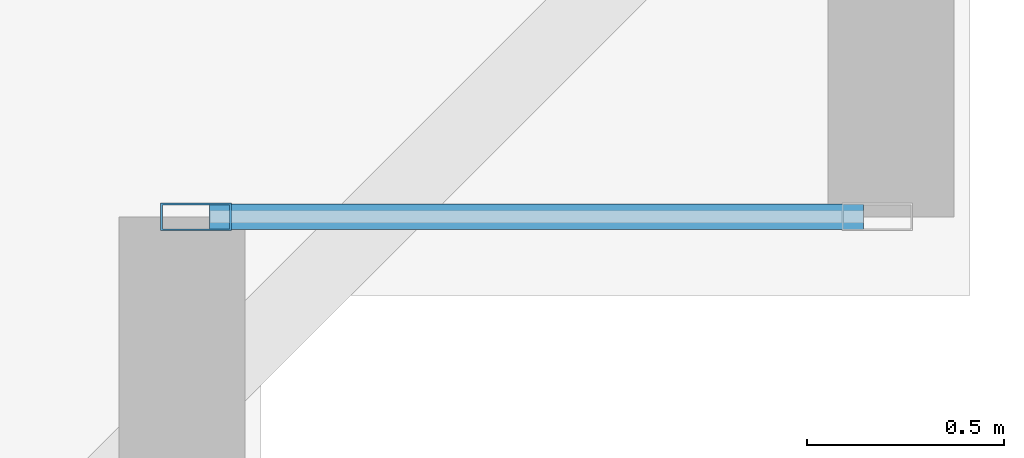
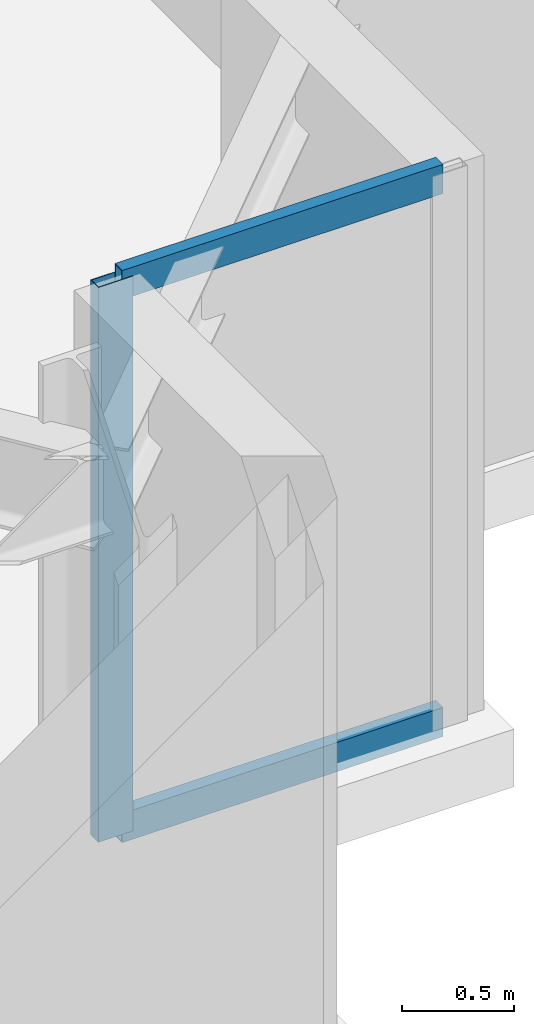
# One storey, part 6 of 22: 3 members, 1 element without a shape of its own.
"""IFC4 building model written with IfcOpenShell, lengths in metres."""

from ifc_helpers import new_model, si_unit, direction, frame, origin, origin_2d, place, context, subcontext, project, spatial, hollow_rectangle, extrude, material, layer, layer_set, material_profile, profile_set, type_object, element, aggregate, save


model = new_model("IFC4")

# Units and contexts
model_context = context("Model", 3, precision=1e-05, world=origin(), true_north=direction((0.0, 1.0)))
body_context = subcontext(model_context, "Body", "Model", "MODEL_VIEW")
ifc_project = project(units=[si_unit("LENGTHUNIT", "METRE"), si_unit("AREAUNIT", "SQUARE_METRE"), si_unit("VOLUMEUNIT", "CUBIC_METRE"), si_unit("PLANEANGLEUNIT", "RADIAN"), si_unit("MASSUNIT", "GRAM", prefix="KILO")], contexts=[model_context])

# Site, building, storey
site_placement = place(None, origin())
site = spatial("IfcSite", under=ifc_project, at=site_placement, CompositionType="ELEMENT")
building_placement = place(site_placement, origin())
building = spatial("IfcBuilding", under=site, at=building_placement, Name="Qobustan Lattice House", CompositionType="ELEMENT")
storey_placement = place(building_placement, frame((0.0, 0.0, 53.800048828125)))
storey = spatial("IfcBuildingStorey", under=building, at=storey_placement, Name="L14", CompositionType="ELEMENT", Elevation=53.800048828125)

# Curtain wall, members
ifc_material_1 = material(Name="Anodised aluminium and low-E glazing", Category="aluminium")
ifc_layer = layer(ifc_material_1, 0.219970703125)
ifc_layer_set = layer_set([ifc_layer], Name="Anodised aluminium and low-E glazing")
curtain_wall_type = type_object("IfcCurtainWallType", Name="CW-FAC-01", PredefinedType="USERDEFINED", material=ifc_layer_set)
curtain_wall_placement = place(storey_placement, origin())
curtain_wall = element("IfcCurtainWall", 1, at=curtain_wall_placement, inside=storey, type_object=curtain_wall_type, Name="L14 serrated corner faceted glazing 18", ObjectType="CURTAIN WALL", PredefinedType="USERDEFINED")
ifc_material_2 = material(Name="Anodised aluminium EN AW-6063 T6", Category="aluminium")
ifc_material_profile_1 = material_profile(ifc_material_2, hollow_rectangle(XDim=0.070068359375, YDim=0.179931640625, WallThickness=0.00439453125, at=origin_2d()), Name="CWM-180x70")
ifc_profile_set_1 = profile_set([ifc_material_profile_1], Name="Anodised aluminium EN AW-6063 T6")
member_type_1 = type_object("IfcMemberType", Name="CWM-STD-180", PredefinedType="MULLION", material=ifc_profile_set_1)
member_1_placement = place(storey_placement, frame((29.235107421875, -17.60009765625, 0.0), z_axis=(0.0, 0.0, 1.0), x_axis=(0.0, -1.0, 0.0)))
member_1 = element("IfcMember", 2, at=member_1_placement, type_object=member_type_1, Name="CW-F1 mullion 2", PredefinedType="MULLION", context=body_context, shape_type="SweptSolid", body=[
    extrude(hollow_rectangle(XDim=0.070068359375, YDim=0.179931640625, WallThickness=0.00439453125, at=origin_2d()), origin(), (0.0, 0.0, 1.0), 3.034912109375),
])
ifc_material_3 = material(Name="Anodised aluminium EN AW-6063 T6", Category="aluminium")
ifc_material_profile_2 = material_profile(ifc_material_3, hollow_rectangle(XDim=0.06494140625, YDim=0.159912109375, WallThickness=0.00390625, at=origin_2d()), Name="CWT-160x65")
ifc_profile_set_2 = profile_set([ifc_material_profile_2], Name="Anodised aluminium EN AW-6063 T6")
member_type_2 = type_object("IfcMemberType", Name="CWT-HOR-160", PredefinedType="USERDEFINED", material=ifc_profile_set_2)
member_2_placement = place(storey_placement, frame((30.929931640625, -17.60009765625, 0.032470703125), z_axis=(-1.0, 0.0, 0.0), x_axis=(0.0, -1.0, 0.0)))
member_2 = element("IfcMember", 3, at=member_2_placement, type_object=member_type_2, Name="CW-F1 transom 1.1", ObjectType="TRANSOM", PredefinedType="USERDEFINED", context=body_context, shape_type="SweptSolid", body=[
    extrude(hollow_rectangle(XDim=0.06494140625, YDim=0.159912109375, WallThickness=0.00390625, at=origin_2d()), origin(), (0.0, 0.0, 1.0), 1.659912109375),
])
member_3_placement = place(storey_placement, frame((30.929931640625, -17.60009765625, 3.00244140625), z_axis=(-1.0, 0.0, 0.0), x_axis=(0.0, -1.0, 0.0)))
member_3 = element("IfcMember", 4, at=member_3_placement, type_object=member_type_2, Name="CW-F1 transom 1.2", ObjectType="TRANSOM", PredefinedType="USERDEFINED", context=body_context, shape_type="SweptSolid", body=[
    extrude(hollow_rectangle(XDim=0.06494140625, YDim=0.159912109375, WallThickness=0.00390625, at=origin_2d()), origin(), (0.0, 0.0, 1.0), 1.659912109375),
])
aggregate(curtain_wall, [member_1, member_2, member_3])

save(model, "model.ifc")
